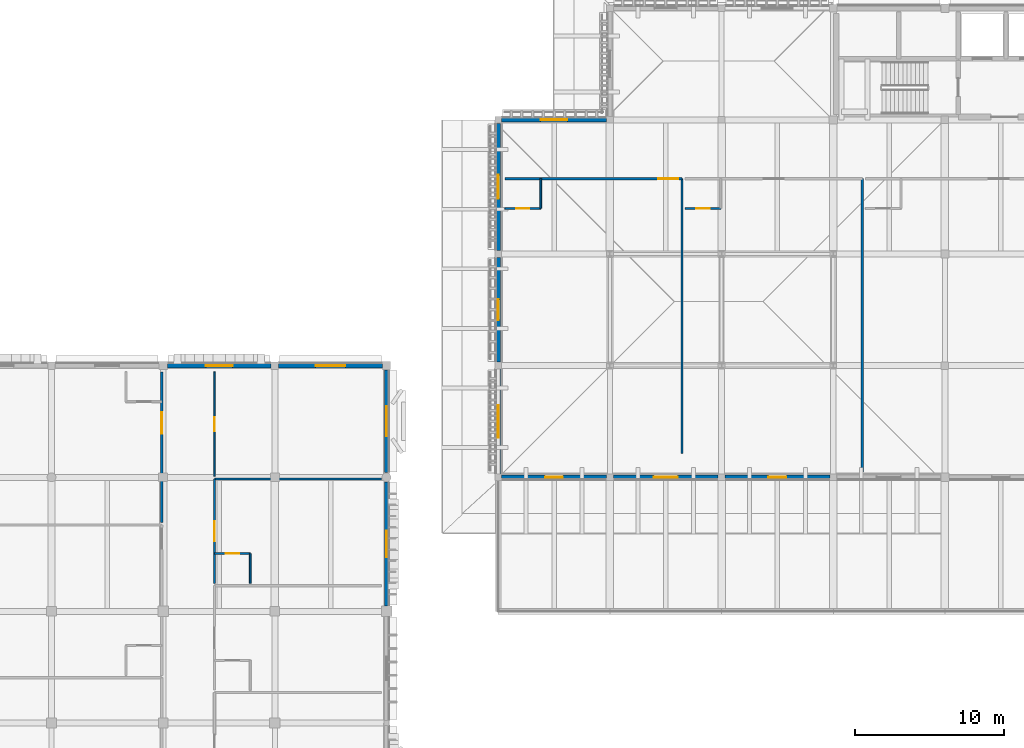
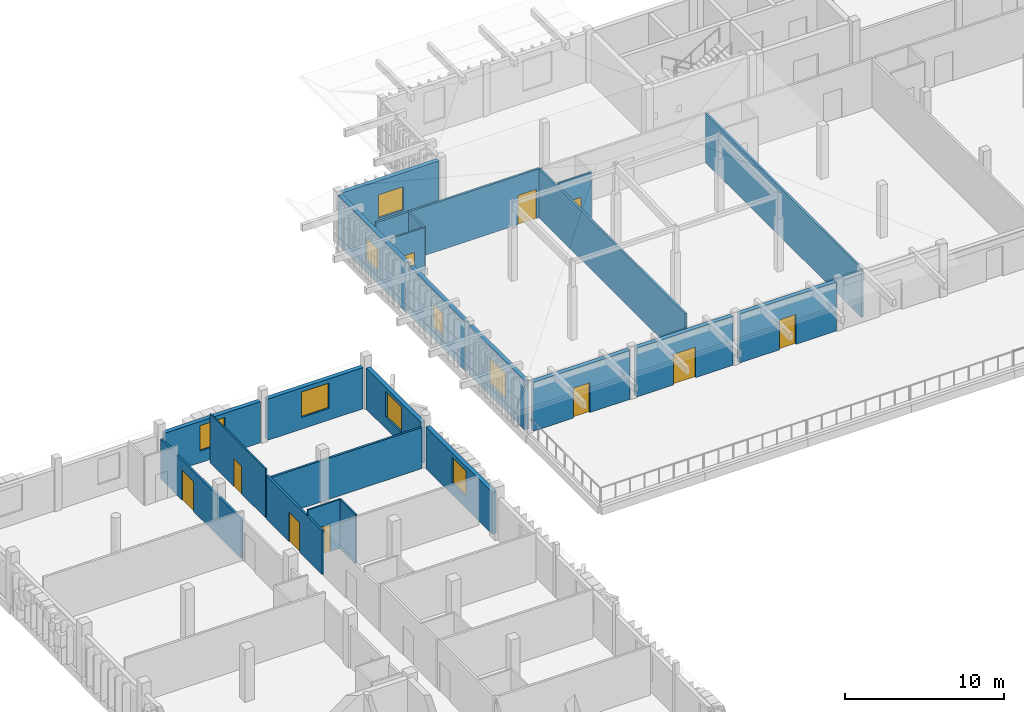
# One storey, part 22 of 48: 23 walls, 10 doors, 8 windows, 18 openings.
"""IFC4 building model written with IfcOpenShell, lengths in metres."""

from ifc_helpers import new_model, si_unit, direction, frame, frame_2d, origin, place, context, subcontext, project, spatial, rectangle, extrude, material, layer, layer_set, type_object, element, fill, save


model = new_model("IFC4")

# Units and contexts
model_context = context("Model", 3, precision=1e-05, world=origin(), true_north=direction((0.0, 1.0)))
body_context = subcontext(model_context, "Body", "Model", "MODEL_VIEW")
ifc_project = project(units=[si_unit("LENGTHUNIT", "METRE"), si_unit("AREAUNIT", "SQUARE_METRE"), si_unit("VOLUMEUNIT", "CUBIC_METRE"), si_unit("PLANEANGLEUNIT", "RADIAN"), si_unit("MASSUNIT", "GRAM", prefix="KILO")], contexts=[model_context])

# Site, building, storey
site_placement = place(None, origin())
site = spatial("IfcSite", under=ifc_project, at=site_placement, CompositionType="ELEMENT")
building_placement = place(site_placement, origin())
building = spatial("IfcBuilding", under=site, at=building_placement, Name="Dalvernix Boulevard General Hospital", CompositionType="ELEMENT")
storey_placement = place(building_placement, frame((0.0, 0.0, 17.85009765625)))
storey = spatial("IfcBuildingStorey", under=building, at=storey_placement, Name="L04", CompositionType="ELEMENT", Elevation=17.85009765625)

# Wall, opening, window
ifc_material_1 = material(Name="Pressed Catalan clay brick and ceramic spandrel wall C35/45", Category="masonry")
ifc_layer_1 = layer(ifc_material_1, 0.300048828125)
ifc_layer_set_1 = layer_set([ifc_layer_1], Name="Pressed Catalan clay brick and ceramic spandrel wall C35/45 (WAL-EW-02)")
wall_type_1 = type_object("IfcWallType", Name="WAL-EW-02", PredefinedType="STANDARD", material=ifc_layer_set_1)
wall_1_placement = place(storey_placement, frame((15.284912109375, 93.0, 0.0), z_axis=(0.0, 0.0, 1.0), x_axis=(1.0, 0.0, 0.0)))
wall_1 = element("IfcWall", 1, at=wall_1_placement, inside=storey, type_object=wall_type_1, Name="L04 Catalan brick external wall N 2-12", PredefinedType="STANDARD", context=body_context, shape_type="SweptSolid", body=[
    extrude(rectangle(XDim=6.955078125, YDim=0.300048828125, at=frame_2d((3.4775390625, 0.0))), origin(), (0.0, 0.0, 1.0), 3.169921875),
])
opening_1_placement = place(wall_1_placement, frame((2.577392578125, 0.0, 0.89990234375)))
opening_1 = element("IfcOpeningElement", 2, at=opening_1_placement, cuts=wall_1, Name="Opening WN-11", PredefinedType="OPENING", context=body_context, shape_type="SweptSolid", body=[
    extrude(rectangle(XDim=1.800048828125, YDim=1.949951171875, at=frame_2d((0.89990234375, 0.97509765625))), frame((0.0, 0.159912109375, 0.0), z_axis=(0.0, -1.0, 0.0), x_axis=(1.0, 0.0, 0.0)), (0.0, 0.0, 1.0), 0.320068359375),
])
ifc_material_2 = material(Name="Thermally broken aluminium frame with solar-control double glazing", Category="aluminium")
window_type_1 = type_object("IfcWindowType", Name="WIN-WN-11", PartitioningType="SINGLE_PANEL", PredefinedType="WINDOW", material=ifc_material_2)
window_1_placement = place(opening_1_placement, origin())
window_1 = element("IfcWindow", 3, at=window_1_placement, inside=storey, type_object=window_type_1, Name="L04 clinical window WN-11 N 2-12", OverallHeight=1.949951171875, OverallWidth=1.800048828125, PartitioningType="SINGLE_PANEL", PredefinedType="WINDOW", context=body_context, shape_type="SweptSolid", body=[
    extrude(rectangle(XDim=1.800048828125, YDim=1.949951171875, at=frame_2d((0.89990234375, 0.97509765625))), frame((0.0, 0.030029296875, 0.0), z_axis=(0.0, -1.0, 0.0), x_axis=(1.0, 0.0, 0.0)), (0.0, 0.0, 1.0), 0.06005859375),
])
fill(opening_1, window_1)

wall_2_placement = place(storey_placement, frame((30.0, 85.18994140625, 0.0), z_axis=(0.0, 0.0, 1.0), x_axis=(0.0, -1.0, 0.0)))
wall_2 = element("IfcWall", 4, at=wall_2_placement, inside=storey, type_object=wall_type_1, Name="L04 Catalan brick external wall E 4-10", PredefinedType="STANDARD", context=body_context, shape_type="SweptSolid", body=[
    extrude(rectangle(XDim=8.329833984375, YDim=0.300048828125, at=frame_2d((4.1650390625, 0.0))), origin(), (0.0, 0.0, 1.0), 3.219970703125),
])
opening_2_placement = place(wall_2_placement, frame((3.264892578125, 0.0, 0.89990234375)))
opening_2 = element("IfcOpeningElement", 5, at=opening_2_placement, cuts=wall_2, Name="Opening WN-11", PredefinedType="OPENING", context=body_context, shape_type="SweptSolid", body=[
    extrude(rectangle(XDim=1.800048828125, YDim=1.949951171875, at=frame_2d((0.89990234375, 0.97509765625))), frame((0.0, 0.159912109375, 0.0), z_axis=(0.0, -1.0, 0.0), x_axis=(1.0, 0.0, 0.0)), (0.0, 0.0, 1.0), 0.320068359375),
])
window_2_placement = place(opening_2_placement, origin())
window_2 = element("IfcWindow", 6, at=window_2_placement, inside=storey, type_object=window_type_1, Name="L04 clinical window WN-11 E 4-10", OverallHeight=1.949951171875, OverallWidth=1.800048828125, PartitioningType="SINGLE_PANEL", PredefinedType="WINDOW", context=body_context, shape_type="SweptSolid", body=[
    extrude(rectangle(XDim=1.800048828125, YDim=1.949951171875, at=frame_2d((0.89990234375, 0.97509765625))), frame((0.0, 0.030029296875, 0.0), z_axis=(0.0, -1.0, 0.0), x_axis=(1.0, 0.0, 0.0)), (0.0, 0.0, 1.0), 0.06005859375),
])
fill(opening_2, window_2)

wall_3_placement = place(storey_placement, frame((22.760009765625, 93.0, 0.0), z_axis=(0.0, 0.0, 1.0), x_axis=(1.0, 0.0, 0.0)))
wall_3 = element("IfcWall", 7, at=wall_3_placement, inside=storey, type_object=wall_type_1, Name="L04 Catalan brick external wall N 3-12", PredefinedType="STANDARD", context=body_context, shape_type="SweptSolid", body=[
    extrude(rectangle(XDim=6.955078125, YDim=0.300048828125, at=frame_2d((3.4775390625, 0.0))), origin(), (0.0, 0.0, 1.0), 3.169921875),
])
opening_3_placement = place(wall_3_placement, frame((2.4775390625, 0.0, 0.89990234375)))
opening_3 = element("IfcOpeningElement", 8, at=opening_3_placement, cuts=wall_3, Name="Opening WN-12", PredefinedType="OPENING", context=body_context, shape_type="SweptSolid", body=[
    extrude(rectangle(XDim=2.0, YDim=1.949951171875, at=frame_2d((1.0, 0.97509765625))), frame((0.0, 0.159912109375, 0.0), z_axis=(0.0, -1.0, 0.0), x_axis=(1.0, 0.0, 0.0)), (0.0, 0.0, 1.0), 0.320068359375),
])
window_type_2 = type_object("IfcWindowType", Name="WIN-WN-12", PartitioningType="SINGLE_PANEL", PredefinedType="WINDOW", material=ifc_material_2)
window_3_placement = place(opening_3_placement, origin())
window_3 = element("IfcWindow", 9, at=window_3_placement, inside=storey, type_object=window_type_2, Name="L04 clinical window WN-12 N 3-12", OverallHeight=1.949951171875, OverallWidth=2.0, PartitioningType="SINGLE_PANEL", PredefinedType="WINDOW", context=body_context, shape_type="SweptSolid", body=[
    extrude(rectangle(XDim=2.0, YDim=1.949951171875, at=frame_2d((1.0, 0.97509765625))), frame((0.0, 0.030029296875, 0.0), z_axis=(0.0, -1.0, 0.0), x_axis=(1.0, 0.0, 0.0)), (0.0, 0.0, 1.0), 0.06005859375),
])
fill(opening_3, window_3)

wall_4_placement = place(storey_placement, frame((30.0, 92.715087890625, 0.0), z_axis=(0.0, 0.0, 1.0), x_axis=(0.0, -1.0, 0.0)))
wall_4 = element("IfcWall", 10, at=wall_4_placement, inside=storey, type_object=wall_type_1, Name="L04 Catalan brick external wall E 4-11", PredefinedType="STANDARD", context=body_context, shape_type="SweptSolid", body=[
    extrude(rectangle(XDim=6.905029296875, YDim=0.300048828125, at=frame_2d((3.45263671875, 0.0))), origin(), (0.0, 0.0, 1.0), 3.169921875),
])
opening_4_placement = place(wall_4_placement, frame((2.452392578125, 0.0, 0.89990234375)))
opening_4 = element("IfcOpeningElement", 11, at=opening_4_placement, cuts=wall_4, Name="Opening WN-12", PredefinedType="OPENING", context=body_context, shape_type="SweptSolid", body=[
    extrude(rectangle(XDim=2.0, YDim=1.949951171875, at=frame_2d((1.0, 0.97509765625))), frame((0.0, 0.159912109375, 0.0), z_axis=(0.0, -1.0, 0.0), x_axis=(1.0, 0.0, 0.0)), (0.0, 0.0, 1.0), 0.320068359375),
])
window_4_placement = place(opening_4_placement, origin())
window_4 = element("IfcWindow", 12, at=window_4_placement, inside=storey, type_object=window_type_2, Name="L04 clinical window WN-12 E 4-11", OverallHeight=1.949951171875, OverallWidth=2.0, PartitioningType="SINGLE_PANEL", PredefinedType="WINDOW", context=body_context, shape_type="SweptSolid", body=[
    extrude(rectangle(XDim=2.0, YDim=1.949951171875, at=frame_2d((1.0, 0.97509765625))), frame((0.0, 0.030029296875, 0.0), z_axis=(0.0, -1.0, 0.0), x_axis=(1.0, 0.0, 0.0)), (0.0, 0.0, 1.0), 0.06005859375),
])
fill(opening_4, window_4)

# Wall, opening, door
wall_5_placement = place(storey_placement, frame((44.764892578125, 85.5, 0.0), z_axis=(0.0, 0.0, 1.0), x_axis=(-1.0, 0.0, 0.0)))
wall_5 = element("IfcWall", 13, at=wall_5_placement, inside=storey, type_object=wall_type_1, Name="L04 Catalan brick external wall S 5-11", PredefinedType="STANDARD", context=body_context, shape_type="SweptSolid", body=[
    extrude(rectangle(XDim=7.02978515625, YDim=0.300048828125, at=frame_2d((3.514892578125, 0.0))), origin(), (0.0, 0.0, 1.0), 3.77001953125),
])
opening_5_placement = place(wall_5_placement, frame((2.9150390625, 0.0, 0.0)))
opening_5 = element("IfcOpeningElement", 14, at=opening_5_placement, cuts=wall_5, Name="Opening TD-12", PredefinedType="OPENING", context=body_context, shape_type="SweptSolid", body=[
    extrude(rectangle(XDim=1.199951171875, YDim=2.300048828125, at=frame_2d((0.60009765625, 1.14990234375))), frame((0.0, 0.159912109375, 0.0), z_axis=(0.0, -1.0, 0.0), x_axis=(1.0, 0.0, 0.0)), (0.0, 0.0, 1.0), 0.320068359375),
])
ifc_material_3 = material(Name="Powder-coated aluminium and laminated safety glass", Category="aluminium")
door_type_1 = type_object("IfcDoorType", Name="DR-TD-12", OperationType="NOTDEFINED", PredefinedType="DOOR", material=ifc_material_3)
door_1_placement = place(opening_5_placement, origin())
door_1 = element("IfcDoor", 15, at=door_1_placement, inside=storey, type_object=door_type_1, Name="L04 ward terrace access door S 5-11", OperationType="SINGLE_SWING_RIGHT", OverallHeight=2.300048828125, OverallWidth=1.199951171875, PredefinedType="DOOR", context=body_context, shape_type="SweptSolid", body=[
    extrude(rectangle(XDim=1.199951171875, YDim=2.300048828125, at=frame_2d((0.60009765625, 1.14990234375))), frame((0.0, 0.02490234375, 0.0), z_axis=(0.0, -1.0, 0.0), x_axis=(1.0, 0.0, 0.0)), (0.0, 0.0, 1.0), 0.050048828125),
])
fill(opening_5, door_1)

# Wall, opening, window
wall_6_placement = place(storey_placement, frame((37.5, 85.735107421875, 0.0), z_axis=(0.0, 0.0, 1.0), x_axis=(0.0, 1.0, 0.0)))
wall_6 = element("IfcWall", 16, at=wall_6_placement, inside=storey, type_object=wall_type_1, Name="L04 Catalan brick external wall W 5-11", PredefinedType="STANDARD", context=body_context, shape_type="SweptSolid", body=[
    extrude(rectangle(XDim=7.02978515625, YDim=0.300048828125, at=frame_2d((3.514892578125, 0.0))), origin(), (0.0, 0.0, 1.0), 3.77001953125),
])
opening_6_placement = place(wall_6_placement, frame((2.4150390625, 0.0, 0.89990234375)))
opening_6 = element("IfcOpeningElement", 17, at=opening_6_placement, cuts=wall_6, Name="Opening WN-13", PredefinedType="OPENING", context=body_context, shape_type="SweptSolid", body=[
    extrude(rectangle(XDim=2.199951171875, YDim=1.949951171875, at=frame_2d((1.10009765625, 0.97509765625))), frame((0.0, 0.159912109375, 0.0), z_axis=(0.0, -1.0, 0.0), x_axis=(1.0, 0.0, 0.0)), (0.0, 0.0, 1.0), 0.320068359375),
])
window_type_3 = type_object("IfcWindowType", Name="WIN-WN-13", PartitioningType="SINGLE_PANEL", PredefinedType="WINDOW", material=ifc_material_2)
window_5_placement = place(opening_6_placement, origin())
window_5 = element("IfcWindow", 18, at=window_5_placement, inside=storey, type_object=window_type_3, Name="L04 clinical window WN-13 W 5-11", OverallHeight=1.949951171875, OverallWidth=2.199951171875, PartitioningType="SINGLE_PANEL", PredefinedType="WINDOW", context=body_context, shape_type="SweptSolid", body=[
    extrude(rectangle(XDim=2.199951171875, YDim=1.949951171875, at=frame_2d((1.10009765625, 0.97509765625))), frame((0.0, 0.030029296875, 0.0), z_axis=(0.0, -1.0, 0.0), x_axis=(1.0, 0.0, 0.0)), (0.0, 0.0, 1.0), 0.06005859375),
])
fill(opening_6, window_5)

wall_7_placement = place(storey_placement, frame((37.5, 93.235107421875, 0.0), z_axis=(0.0, 0.0, 1.0), x_axis=(0.0, 1.0, 0.0)))
wall_7 = element("IfcWall", 19, at=wall_7_placement, inside=storey, type_object=wall_type_1, Name="L04 Catalan brick external wall W 5-12", PredefinedType="STANDARD", context=body_context, shape_type="SweptSolid", body=[
    extrude(rectangle(XDim=7.02978515625, YDim=0.300048828125, at=frame_2d((3.514892578125, 0.0))), origin(), (0.0, 0.0, 1.0), 3.77001953125),
])
opening_7_placement = place(wall_7_placement, frame((2.81494140625, 0.0, 0.89990234375)))
opening_7 = element("IfcOpeningElement", 20, at=opening_7_placement, cuts=wall_7, Name="Opening WN-14", PredefinedType="OPENING", context=body_context, shape_type="SweptSolid", body=[
    extrude(rectangle(XDim=1.39990234375, YDim=1.800048828125, at=frame_2d((0.699951171875, 0.89990234375))), frame((0.0, 0.159912109375, 0.0), z_axis=(0.0, -1.0, 0.0), x_axis=(1.0, 0.0, 0.0)), (0.0, 0.0, 1.0), 0.320068359375),
])
window_type_4 = type_object("IfcWindowType", Name="WIN-WN-14", PartitioningType="SINGLE_PANEL", PredefinedType="WINDOW", material=ifc_material_2)
window_6_placement = place(opening_7_placement, origin())
window_6 = element("IfcWindow", 21, at=window_6_placement, inside=storey, type_object=window_type_4, Name="L04 clinical window WN-14 W 5-12", OverallHeight=1.800048828125, OverallWidth=1.39990234375, PartitioningType="SINGLE_PANEL", PredefinedType="WINDOW", context=body_context, shape_type="SweptSolid", body=[
    extrude(rectangle(XDim=1.39990234375, YDim=1.800048828125, at=frame_2d((0.699951171875, 0.89990234375))), frame((0.0, 0.030029296875, 0.0), z_axis=(0.0, -1.0, 0.0), x_axis=(1.0, 0.0, 0.0)), (0.0, 0.0, 1.0), 0.06005859375),
])
fill(opening_7, window_6)

wall_8_placement = place(storey_placement, frame((37.735107421875, 109.5, 0.0), z_axis=(0.0, 0.0, 1.0), x_axis=(1.0, 0.0, 0.0)))
wall_8 = element("IfcWall", 22, at=wall_8_placement, inside=storey, type_object=wall_type_1, Name="L04 Catalan brick external wall N 5-14", PredefinedType="STANDARD", context=body_context, shape_type="SweptSolid", body=[
    extrude(rectangle(XDim=7.02978515625, YDim=0.300048828125, at=frame_2d((3.514892578125, 0.0))), origin(), (0.0, 0.0, 1.0), 3.77001953125),
])
opening_8_placement = place(wall_8_placement, frame((2.614990234375, 0.0, 0.89990234375)))
opening_8 = element("IfcOpeningElement", 23, at=opening_8_placement, cuts=wall_8, Name="Opening WN-16", PredefinedType="OPENING", context=body_context, shape_type="SweptSolid", body=[
    extrude(rectangle(XDim=1.800048828125, YDim=1.800048828125, at=frame_2d((0.89990234375, 0.89990234375))), frame((0.0, 0.159912109375, 0.0), z_axis=(0.0, -1.0, 0.0), x_axis=(1.0, 0.0, 0.0)), (0.0, 0.0, 1.0), 0.320068359375),
])
window_type_5 = type_object("IfcWindowType", Name="WIN-WN-16", PartitioningType="SINGLE_PANEL", PredefinedType="WINDOW", material=ifc_material_2)
window_7_placement = place(opening_8_placement, origin())
window_7 = element("IfcWindow", 24, at=window_7_placement, inside=storey, type_object=window_type_5, Name="L04 clinical window WN-16 N 5-14", OverallHeight=1.800048828125, OverallWidth=1.800048828125, PartitioningType="SINGLE_PANEL", PredefinedType="WINDOW", context=body_context, shape_type="SweptSolid", body=[
    extrude(rectangle(XDim=1.800048828125, YDim=1.800048828125, at=frame_2d((0.89990234375, 0.89990234375))), frame((0.0, 0.030029296875, 0.0), z_axis=(0.0, -1.0, 0.0), x_axis=(1.0, 0.0, 0.0)), (0.0, 0.0, 1.0), 0.06005859375),
])
fill(opening_8, window_7)

wall_9_placement = place(storey_placement, frame((37.5, 100.735107421875, 0.0), z_axis=(0.0, 0.0, 1.0), x_axis=(0.0, 1.0, 0.0)))
wall_9 = element("IfcWall", 25, at=wall_9_placement, inside=storey, type_object=wall_type_1, Name="L04 Catalan brick external wall W 5-13", PredefinedType="STANDARD", context=body_context, shape_type="SweptSolid", body=[
    extrude(rectangle(XDim=8.52978515625, YDim=0.300048828125, at=frame_2d((4.264892578125, 0.0))), origin(), (0.0, 0.0, 1.0), 3.77001953125),
])
opening_9_placement = place(wall_9_placement, frame((3.465087890625, 0.0, 0.89990234375)))
opening_9 = element("IfcOpeningElement", 26, at=opening_9_placement, cuts=wall_9, Name="Opening WN-15", PredefinedType="OPENING", context=body_context, shape_type="SweptSolid", body=[
    extrude(rectangle(XDim=1.60009765625, YDim=1.800048828125, at=frame_2d((0.800048828125, 0.89990234375))), frame((0.0, 0.159912109375, 0.0), z_axis=(0.0, -1.0, 0.0), x_axis=(1.0, 0.0, 0.0)), (0.0, 0.0, 1.0), 0.320068359375),
])
window_type_6 = type_object("IfcWindowType", Name="WIN-WN-15", PartitioningType="SINGLE_PANEL", PredefinedType="WINDOW", material=ifc_material_2)
window_8_placement = place(opening_9_placement, origin())
window_8 = element("IfcWindow", 27, at=window_8_placement, inside=storey, type_object=window_type_6, Name="L04 clinical window WN-15 W 5-13", OverallHeight=1.800048828125, OverallWidth=1.60009765625, PartitioningType="SINGLE_PANEL", PredefinedType="WINDOW", context=body_context, shape_type="SweptSolid", body=[
    extrude(rectangle(XDim=1.60009765625, YDim=1.800048828125, at=frame_2d((0.800048828125, 0.89990234375))), frame((0.0, 0.030029296875, 0.0), z_axis=(0.0, -1.0, 0.0), x_axis=(1.0, 0.0, 0.0)), (0.0, 0.0, 1.0), 0.06005859375),
])
fill(opening_9, window_8)

# Wall, opening, door
wall_10_placement = place(storey_placement, frame((52.264892578125, 85.5, 0.0), z_axis=(0.0, 0.0, 1.0), x_axis=(-1.0, 0.0, 0.0)))
wall_10 = element("IfcWall", 28, at=wall_10_placement, inside=storey, type_object=wall_type_1, Name="L04 Catalan brick external wall S 6-11", PredefinedType="STANDARD", context=body_context, shape_type="SweptSolid", body=[
    extrude(rectangle(XDim=7.02978515625, YDim=0.300048828125, at=frame_2d((3.514892578125, 0.0))), origin(), (0.0, 0.0, 1.0), 3.77001953125),
])
opening_10_placement = place(wall_10_placement, frame((2.715087890625, 0.0, 0.0)))
opening_10 = element("IfcOpeningElement", 29, at=opening_10_placement, cuts=wall_10, Name="Opening TD-16", PredefinedType="OPENING", context=body_context, shape_type="SweptSolid", body=[
    extrude(rectangle(XDim=1.60009765625, YDim=2.35009765625, at=frame_2d((0.800048828125, 1.175048828125))), frame((0.0, 0.159912109375, 0.0), z_axis=(0.0, -1.0, 0.0), x_axis=(1.0, 0.0, 0.0)), (0.0, 0.0, 1.0), 0.320068359375),
])
door_type_2 = type_object("IfcDoorType", Name="DR-TD-16", OperationType="DOUBLE_DOOR_SINGLE_SWING", PredefinedType="DOOR", material=ifc_material_3)
door_2_placement = place(opening_10_placement, origin())
door_2 = element("IfcDoor", 30, at=door_2_placement, inside=storey, type_object=door_type_2, Name="L04 ward terrace access door S 6-11", OperationType="DOUBLE_DOOR_SINGLE_SWING", OverallHeight=2.35009765625, OverallWidth=1.60009765625, PredefinedType="DOOR", context=body_context, shape_type="SweptSolid", body=[
    extrude(rectangle(XDim=1.60009765625, YDim=2.35009765625, at=frame_2d((0.800048828125, 1.175048828125))), frame((0.0, 0.02490234375, 0.0), z_axis=(0.0, -1.0, 0.0), x_axis=(1.0, 0.0, 0.0)), (0.0, 0.0, 1.0), 0.050048828125),
])
fill(opening_10, door_2)

wall_11_placement = place(storey_placement, frame((59.764892578125, 85.5, 0.0), z_axis=(0.0, 0.0, 1.0), x_axis=(-1.0, 0.0, 0.0)))
wall_11 = element("IfcWall", 31, at=wall_11_placement, inside=storey, type_object=wall_type_1, Name="L04 Catalan brick external wall S 7-11", PredefinedType="STANDARD", context=body_context, shape_type="SweptSolid", body=[
    extrude(rectangle(XDim=7.02978515625, YDim=0.300048828125, at=frame_2d((3.514892578125, 0.0))), origin(), (0.0, 0.0, 1.0), 3.77001953125),
])
opening_11_placement = place(wall_11_placement, frame((2.9150390625, 0.0, 0.0)))
opening_11 = element("IfcOpeningElement", 32, at=opening_11_placement, cuts=wall_11, Name="Opening TD-12", PredefinedType="OPENING", context=body_context, shape_type="SweptSolid", body=[
    extrude(rectangle(XDim=1.199951171875, YDim=2.300048828125, at=frame_2d((0.60009765625, 1.14990234375))), frame((0.0, 0.159912109375, 0.0), z_axis=(0.0, -1.0, 0.0), x_axis=(1.0, 0.0, 0.0)), (0.0, 0.0, 1.0), 0.320068359375),
])
door_3_placement = place(opening_11_placement, origin())
door_3 = element("IfcDoor", 33, at=door_3_placement, inside=storey, type_object=door_type_1, Name="L04 ward terrace access door S 7-11", OperationType="SINGLE_SWING_RIGHT", OverallHeight=2.300048828125, OverallWidth=1.199951171875, PredefinedType="DOOR", context=body_context, shape_type="SweptSolid", body=[
    extrude(rectangle(XDim=1.199951171875, YDim=2.300048828125, at=frame_2d((0.60009765625, 1.14990234375))), frame((0.0, 0.02490234375, 0.0), z_axis=(0.0, -1.0, 0.0), x_axis=(1.0, 0.0, 0.0)), (0.0, 0.0, 1.0), 0.050048828125),
])
fill(opening_11, door_3)

ifc_material_4 = material(Name="Acoustic double-stud gypsum inpatient partition")
ifc_layer_2 = layer(ifc_material_4, 0.14990234375)
ifc_layer_set_2 = layer_set([ifc_layer_2], Name="Acoustic double-stud gypsum inpatient partition (WAL-IW-04)")
wall_type_2 = type_object("IfcWallType", Name="WAL-IW-04", PredefinedType="PARTITIONING", material=ifc_layer_set_2)
wall_12_placement = place(storey_placement, frame((14.89990234375, 82.46337890625, 0.0), z_axis=(0.0, 0.0, 1.0), x_axis=(0.0, 1.0, 0.0)))
wall_12 = element("IfcWall", 34, at=wall_12_placement, inside=storey, type_object=wall_type_2, Name="L04 Four Bed Medical Inpatient Ward L04-W08 corridor wall", PredefinedType="PARTITIONING", context=body_context, shape_type="SweptSolid", body=[
    extrude(rectangle(XDim=10.106689453125, YDim=0.14990234375, at=frame_2d((5.05322265625, 0.0))), origin(), (0.0, 0.0, 1.0), 3.054931640625),
])
opening_12_placement = place(wall_12_placement, frame((5.959716796875, 0.0, 0.0)))
opening_12 = element("IfcOpeningElement", 35, at=opening_12_placement, cuts=wall_12, Name="Opening ID-02", PredefinedType="OPENING", context=body_context, shape_type="SweptSolid", body=[
    extrude(rectangle(XDim=1.449951171875, YDim=2.300048828125, at=frame_2d((0.72509765625, 1.14990234375))), frame((0.0, 0.0849609375, 0.0), z_axis=(0.0, -1.0, 0.0), x_axis=(1.0, 0.0, 0.0)), (0.0, 0.0, 1.0), 0.169921875),
])
ifc_material_5 = material(Name="Hospital laminate acoustic timber and steel frame", Category="steel")
door_type_3 = type_object("IfcDoorType", Name="DR-ID-02", OperationType="NOTDEFINED", PredefinedType="DOOR", material=ifc_material_5)
door_4_placement = place(opening_12_placement, origin())
door_4 = element("IfcDoor", 36, at=door_4_placement, inside=storey, type_object=door_type_3, Name="L04 Four Bed Medical Inpatient Ward L04-W08 door", OperationType="SINGLE_SWING_LEFT", OverallHeight=2.300048828125, OverallWidth=1.449951171875, PredefinedType="DOOR", context=body_context, shape_type="SweptSolid", body=[
    extrude(rectangle(XDim=1.449951171875, YDim=2.300048828125, at=frame_2d((0.72509765625, 1.14990234375))), frame((0.0, 0.02490234375, 0.0), z_axis=(0.0, -1.0, 0.0), x_axis=(1.0, 0.0, 0.0)), (0.0, 0.0, 1.0), 0.050048828125),
])
fill(opening_12, door_4)

wall_13_placement = place(storey_placement, frame((18.449951171875, 85.392578125, 0.0), z_axis=(0.0, 0.0, 1.0), x_axis=(0.0, -1.0, 0.0)))
wall_13 = element("IfcWall", 37, at=wall_13_placement, inside=storey, type_object=wall_type_2, Name="L04 Single Patient Room L04-E09 corridor wall", PredefinedType="PARTITIONING", context=body_context, shape_type="SweptSolid", body=[
    extrude(rectangle(XDim=7.01708984375, YDim=0.14990234375, at=frame_2d((3.508544921875, 0.0))), origin(), (0.0, 0.0, 1.0), 3.35498046875),
])
opening_13_placement = place(wall_13_placement, frame((2.83349609375, 0.0, 0.0)))
opening_13 = element("IfcOpeningElement", 38, at=opening_13_placement, cuts=wall_13, Name="Opening ID-01", PredefinedType="OPENING", context=body_context, shape_type="SweptSolid", body=[
    extrude(rectangle(XDim=1.35009765625, YDim=2.25, at=frame_2d((0.675048828125, 1.125))), frame((0.0, 0.0849609375, 0.0), z_axis=(0.0, -1.0, 0.0), x_axis=(1.0, 0.0, 0.0)), (0.0, 0.0, 1.0), 0.169921875),
])
door_type_4 = type_object("IfcDoorType", Name="DR-ID-01", OperationType="NOTDEFINED", PredefinedType="DOOR", material=ifc_material_5)
door_5_placement = place(opening_13_placement, origin())
door_5 = element("IfcDoor", 39, at=door_5_placement, inside=storey, type_object=door_type_4, Name="L04 Single Patient Room L04-E09 door", OperationType="SINGLE_SWING_RIGHT", OverallHeight=2.25, OverallWidth=1.35009765625, PredefinedType="DOOR", context=body_context, shape_type="SweptSolid", body=[
    extrude(rectangle(XDim=1.35009765625, YDim=2.25, at=frame_2d((0.675048828125, 1.125))), frame((0.0, 0.02490234375, 0.0), z_axis=(0.0, -1.0, 0.0), x_axis=(1.0, 0.0, 0.0)), (0.0, 0.0, 1.0), 0.050048828125),
])
fill(opening_13, door_5)

wall_14_placement = place(storey_placement, frame((49.85009765625, 105.550048828125, 0.0), z_axis=(0.0, 0.0, 1.0), x_axis=(-1.0, 0.0, 0.0)))
wall_14 = element("IfcWall", 40, at=wall_14_placement, inside=storey, type_object=wall_type_2, Name="L04 Post-Operative Surgical Patient Room L04-01 corridor wall", PredefinedType="PARTITIONING", context=body_context, shape_type="SweptSolid", body=[
    extrude(rectangle(XDim=11.900146484375, YDim=0.14990234375, at=frame_2d((5.9501953125, 0.0))), origin(), (0.0, 0.0, 1.0), 3.7548828125),
])
opening_14_placement = place(wall_14_placement, frame((0.25, 0.0, 0.0)))
opening_14 = element("IfcOpeningElement", 41, at=opening_14_placement, cuts=wall_14, Name="Opening ID-01", PredefinedType="OPENING", context=body_context, shape_type="SweptSolid", body=[
    extrude(rectangle(XDim=1.35009765625, YDim=2.25, at=frame_2d((0.675048828125, 1.125))), frame((0.0, 0.0849609375, 0.0), z_axis=(0.0, -1.0, 0.0), x_axis=(1.0, 0.0, 0.0)), (0.0, 0.0, 1.0), 0.169921875),
])
door_6_placement = place(opening_14_placement, origin())
door_6 = element("IfcDoor", 42, at=door_6_placement, inside=storey, type_object=door_type_4, Name="L04 Post-Operative Surgical Patient Room L04-01 door", OperationType="SINGLE_SWING_LEFT", OverallHeight=2.25, OverallWidth=1.35009765625, PredefinedType="DOOR", context=body_context, shape_type="SweptSolid", body=[
    extrude(rectangle(XDim=1.35009765625, YDim=2.25, at=frame_2d((0.675048828125, 1.125))), frame((0.0, 0.02490234375, 0.0), z_axis=(0.0, -1.0, 0.0), x_axis=(1.0, 0.0, 0.0)), (0.0, 0.0, 1.0), 0.050048828125),
])
fill(opening_14, door_6)

# Walls
wall_15_placement = place(storey_placement, frame((18.449951171875, 85.392578125, 0.0), z_axis=(0.0, 0.0, 1.0), x_axis=(1.0, 0.0, 0.0)))
element("IfcWall", 43, at=wall_15_placement, inside=storey, type_object=wall_type_2, Name="L04 Single Patient Room L04-E09 partition", PredefinedType="PARTITIONING", context=body_context, shape_type="SweptSolid", body=[
    extrude(rectangle(XDim=11.199951171875, YDim=0.14990234375, at=frame_2d((5.60009765625, 0.0))), origin(), (0.0, 0.0, 1.0), 3.15478515625),
])
wall_16_placement = place(storey_placement, frame((49.85009765625, 87.10009765625, 0.0), z_axis=(0.0, 0.0, 1.0), x_axis=(0.0, 1.0, 0.0)))
element("IfcWall", 44, at=wall_16_placement, inside=storey, type_object=wall_type_2, Name="L04 Post-Operative Surgical Patient Room L04-01 partition", PredefinedType="PARTITIONING", context=body_context, shape_type="SweptSolid", body=[
    extrude(rectangle(XDim=18.449951171875, YDim=0.14990234375, at=frame_2d((9.22509765625, 0.0))), origin(), (0.0, 0.0, 1.0), 3.7548828125),
])
wall_17_placement = place(storey_placement, frame((61.949951171875, 85.85009765625, 0.0), z_axis=(0.0, 0.0, 1.0), x_axis=(0.0, 1.0, 0.0)))
element("IfcWall", 45, at=wall_17_placement, inside=storey, type_object=wall_type_2, Name="L04 Post-Operative Surgical Patient Room L04-02 partition", PredefinedType="PARTITIONING", context=body_context, shape_type="SweptSolid", body=[
    extrude(rectangle(XDim=19.699951171875, YDim=0.14990234375, at=frame_2d((9.85009765625, 0.0))), origin(), (0.0, 0.0, 1.0), 3.7548828125),
])

# Wall, opening, door
ifc_material_6 = material(Name="Moisture-resistant en-suite bathroom partition")
ifc_layer_3 = layer(ifc_material_6, 0.1201171875)
ifc_layer_set_3 = layer_set([ifc_layer_3], Name="Moisture-resistant en-suite bathroom partition (WAL-IW-05)")
wall_type_3 = type_object("IfcWallType", Name="WAL-IW-05", PredefinedType="PARTITIONING", material=ifc_layer_set_3)
wall_18_placement = place(storey_placement, frame((20.85009765625, 80.37548828125, 0.0), z_axis=(0.0, 0.0, 1.0), x_axis=(-1.0, 0.0, 0.0)))
wall_18 = element("IfcWall", 46, at=wall_18_placement, inside=storey, type_object=wall_type_3, Name="L04 en-suite bathroom door wall", PredefinedType="PARTITIONING", context=body_context, shape_type="SweptSolid", body=[
    extrude(rectangle(XDim=2.400146484375, YDim=0.1201171875, at=frame_2d((1.2001953125, 0.0))), origin(), (0.0, 0.0, 1.0), 3.7548828125),
])
opening_15_placement = place(wall_18_placement, frame((0.75, 0.0, 0.0)))
opening_15 = element("IfcOpeningElement", 47, at=opening_15_placement, cuts=wall_18, Name="Opening ID-05", PredefinedType="OPENING", context=body_context, shape_type="SweptSolid", body=[
    extrude(rectangle(XDim=0.89990234375, YDim=2.10009765625, at=frame_2d((0.449951171875, 1.050048828125))), frame((0.0, 0.070068359375, 0.0), z_axis=(0.0, -1.0, 0.0), x_axis=(1.0, 0.0, 0.0)), (0.0, 0.0, 1.0), 0.14013671875),
])
door_type_5 = type_object("IfcDoorType", Name="DR-ID-05", OperationType="NOTDEFINED", PredefinedType="DOOR", material=ifc_material_5)
door_7_placement = place(opening_15_placement, origin())
door_7 = element("IfcDoor", 48, at=door_7_placement, inside=storey, type_object=door_type_5, Name="L04 L04-RM-E09 en-suite bathroom door", OperationType="SINGLE_SWING_LEFT", OverallHeight=2.10009765625, OverallWidth=0.89990234375, PredefinedType="DOOR", context=body_context, shape_type="SweptSolid", body=[
    extrude(rectangle(XDim=0.89990234375, YDim=2.10009765625, at=frame_2d((0.449951171875, 1.050048828125))), frame((0.0, 0.02490234375, 0.0), z_axis=(0.0, -1.0, 0.0), x_axis=(1.0, 0.0, 0.0)), (0.0, 0.0, 1.0), 0.050048828125),
])
fill(opening_15, door_7)

# Wall
wall_19_placement = place(storey_placement, frame((20.85009765625, 78.37548828125, 0.0), z_axis=(0.0, 0.0, 1.0), x_axis=(0.0, 1.0, 0.0)))
element("IfcWall", 49, at=wall_19_placement, inside=storey, type_object=wall_type_3, Name="L04 en-suite bathroom side wall", PredefinedType="PARTITIONING", context=body_context, shape_type="SweptSolid", body=[
    extrude(rectangle(XDim=2.0, YDim=0.1201171875, at=frame_2d((1.0, 0.0))), origin(), (0.0, 0.0, 1.0), 3.7548828125),
])

# Wall, opening, door
wall_20_placement = place(storey_placement, frame((37.949951171875, 103.550048828125, 0.0), z_axis=(0.0, 0.0, 1.0), x_axis=(1.0, 0.0, 0.0)))
wall_20 = element("IfcWall", 50, at=wall_20_placement, inside=storey, type_object=wall_type_3, Name="L04 en-suite bathroom door wall", PredefinedType="PARTITIONING", context=body_context, shape_type="SweptSolid", body=[
    extrude(rectangle(XDim=2.400146484375, YDim=0.1201171875, at=frame_2d((1.2001953125, 0.0))), origin(), (0.0, 0.0, 1.0), 3.7548828125),
])
opening_16_placement = place(wall_20_placement, frame((0.75, 0.0, 0.0)))
opening_16 = element("IfcOpeningElement", 51, at=opening_16_placement, cuts=wall_20, Name="Opening ID-05", PredefinedType="OPENING", context=body_context, shape_type="SweptSolid", body=[
    extrude(rectangle(XDim=0.89990234375, YDim=2.10009765625, at=frame_2d((0.449951171875, 1.050048828125))), frame((0.0, 0.070068359375, 0.0), z_axis=(0.0, -1.0, 0.0), x_axis=(1.0, 0.0, 0.0)), (0.0, 0.0, 1.0), 0.14013671875),
])
door_8_placement = place(opening_16_placement, origin())
door_8 = element("IfcDoor", 52, at=door_8_placement, inside=storey, type_object=door_type_5, Name="L04 L04-SURG-W01 en-suite bathroom door", OperationType="SINGLE_SWING_RIGHT", OverallHeight=2.10009765625, OverallWidth=0.89990234375, PredefinedType="DOOR", context=body_context, shape_type="SweptSolid", body=[
    extrude(rectangle(XDim=0.89990234375, YDim=2.10009765625, at=frame_2d((0.449951171875, 1.050048828125))), frame((0.0, 0.02490234375, 0.0), z_axis=(0.0, -1.0, 0.0), x_axis=(1.0, 0.0, 0.0)), (0.0, 0.0, 1.0), 0.050048828125),
])
fill(opening_16, door_8)

# Wall
wall_21_placement = place(storey_placement, frame((40.35009765625, 103.550048828125, 0.0), z_axis=(0.0, 0.0, 1.0), x_axis=(0.0, 1.0, 0.0)))
element("IfcWall", 53, at=wall_21_placement, inside=storey, type_object=wall_type_3, Name="L04 en-suite bathroom side wall", PredefinedType="PARTITIONING", context=body_context, shape_type="SweptSolid", body=[
    extrude(rectangle(XDim=2.0, YDim=0.1201171875, at=frame_2d((1.0, 0.0))), origin(), (0.0, 0.0, 1.0), 3.7548828125),
])

# Wall, opening, door
wall_22_placement = place(storey_placement, frame((50.050048828125, 103.550048828125, 0.0), z_axis=(0.0, 0.0, 1.0), x_axis=(1.0, 0.0, 0.0)))
wall_22 = element("IfcWall", 54, at=wall_22_placement, inside=storey, type_object=wall_type_3, Name="L04 en-suite bathroom door wall", PredefinedType="PARTITIONING", context=body_context, shape_type="SweptSolid", body=[
    extrude(rectangle(XDim=2.39990234375, YDim=0.1201171875, at=frame_2d((1.199951171875, 0.0))), origin(), (0.0, 0.0, 1.0), 3.7548828125),
])
opening_17_placement = place(wall_22_placement, frame((0.75, 0.0, 0.0)))
opening_17 = element("IfcOpeningElement", 55, at=opening_17_placement, cuts=wall_22, Name="Opening ID-05", PredefinedType="OPENING", context=body_context, shape_type="SweptSolid", body=[
    extrude(rectangle(XDim=0.89990234375, YDim=2.10009765625, at=frame_2d((0.449951171875, 1.050048828125))), frame((0.0, 0.070068359375, 0.0), z_axis=(0.0, -1.0, 0.0), x_axis=(1.0, 0.0, 0.0)), (0.0, 0.0, 1.0), 0.14013671875),
])
door_9_placement = place(opening_17_placement, origin())
door_9 = element("IfcDoor", 56, at=door_9_placement, inside=storey, type_object=door_type_5, Name="L04 L04-SURG-W02 en-suite bathroom door", OperationType="SINGLE_SWING_RIGHT", OverallHeight=2.10009765625, OverallWidth=0.89990234375, PredefinedType="DOOR", context=body_context, shape_type="SweptSolid", body=[
    extrude(rectangle(XDim=0.89990234375, YDim=2.10009765625, at=frame_2d((0.449951171875, 1.050048828125))), frame((0.0, 0.02490234375, 0.0), z_axis=(0.0, -1.0, 0.0), x_axis=(1.0, 0.0, 0.0)), (0.0, 0.0, 1.0), 0.050048828125),
])
fill(opening_17, door_9)

ifc_material_7 = material(Name="Fire-resisting clinical sub-partition")
ifc_layer_4 = layer(ifc_material_7, 0.10009765625)
ifc_layer_set_4 = layer_set([ifc_layer_4], Name="Fire-resisting clinical sub-partition (WAL-IW-06)")
wall_type_4 = type_object("IfcWallType", Name="WAL-IW-06", PredefinedType="PARTITIONING", material=ifc_layer_set_4)
wall_23_placement = place(storey_placement, frame((18.449951171875, 92.570068359375, 0.0), z_axis=(0.0, 0.0, 1.0), x_axis=(0.0, -1.0, 0.0)))
wall_23 = element("IfcWall", 57, at=wall_23_placement, inside=storey, type_object=wall_type_4, Name="L04 Staff WC and Clean Utility L04 corridor wall", PredefinedType="PARTITIONING", context=body_context, shape_type="SweptSolid", body=[
    extrude(rectangle(XDim=7.017333984375, YDim=0.10009765625, at=frame_2d((3.5087890625, 0.0))), origin(), (0.0, 0.0, 1.0), 3.7548828125),
])
opening_18_placement = place(wall_23_placement, frame((3.03369140625, 0.0, 0.0)))
opening_18 = element("IfcOpeningElement", 58, at=opening_18_placement, cuts=wall_23, Name="Opening ID-06", PredefinedType="OPENING", context=body_context, shape_type="SweptSolid", body=[
    extrude(rectangle(XDim=0.949951171875, YDim=2.14990234375, at=frame_2d((0.47509765625, 1.074951171875))), frame((0.0, 0.06005859375, 0.0), z_axis=(0.0, -1.0, 0.0), x_axis=(1.0, 0.0, 0.0)), (0.0, 0.0, 1.0), 0.1201171875),
])
door_type_6 = type_object("IfcDoorType", Name="DR-ID-06", OperationType="NOTDEFINED", PredefinedType="DOOR", material=ifc_material_5)
door_10_placement = place(opening_18_placement, origin())
door_10 = element("IfcDoor", 59, at=door_10_placement, inside=storey, type_object=door_type_6, Name="L04 Staff WC and Clean Utility L04 door", OperationType="SINGLE_SWING_RIGHT", OverallHeight=2.14990234375, OverallWidth=0.949951171875, PredefinedType="DOOR", context=body_context, shape_type="SweptSolid", body=[
    extrude(rectangle(XDim=0.949951171875, YDim=2.14990234375, at=frame_2d((0.47509765625, 1.074951171875))), frame((0.0, 0.02490234375, 0.0), z_axis=(0.0, -1.0, 0.0), x_axis=(1.0, 0.0, 0.0)), (0.0, 0.0, 1.0), 0.050048828125),
])
fill(opening_18, door_10)

save(model, "model.ifc")
